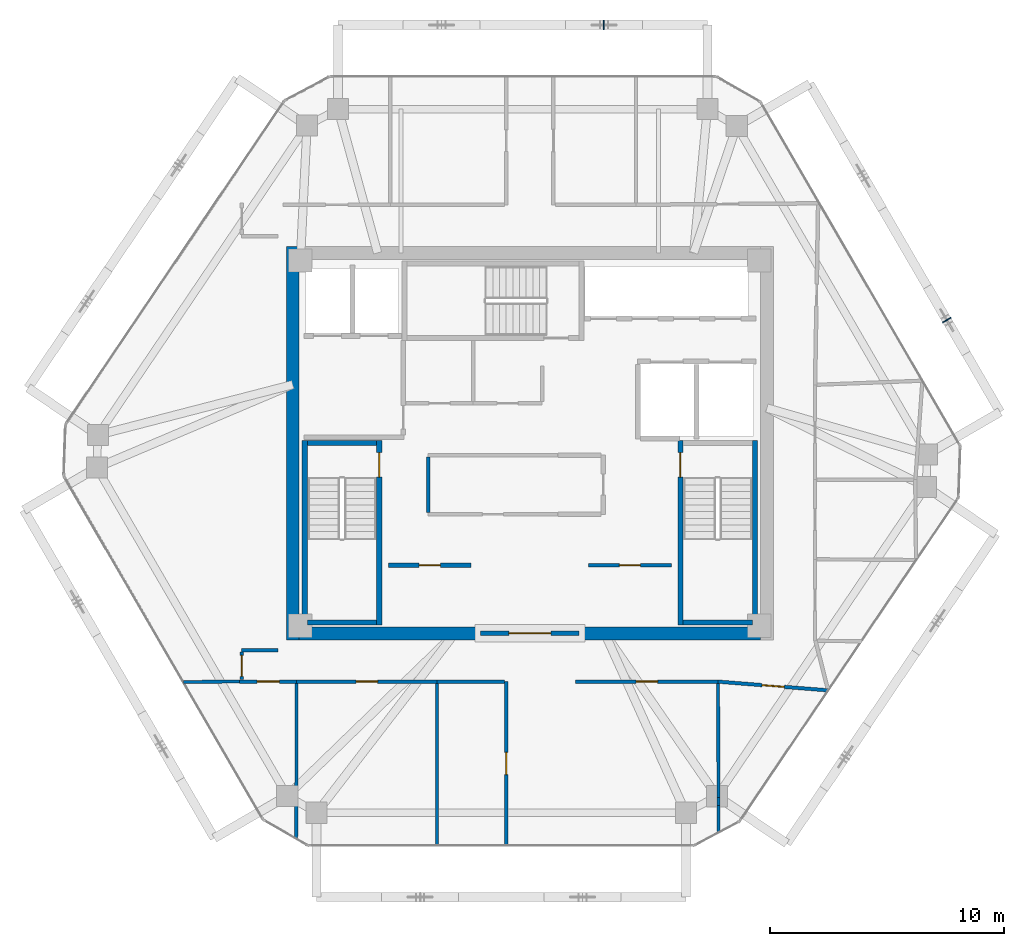
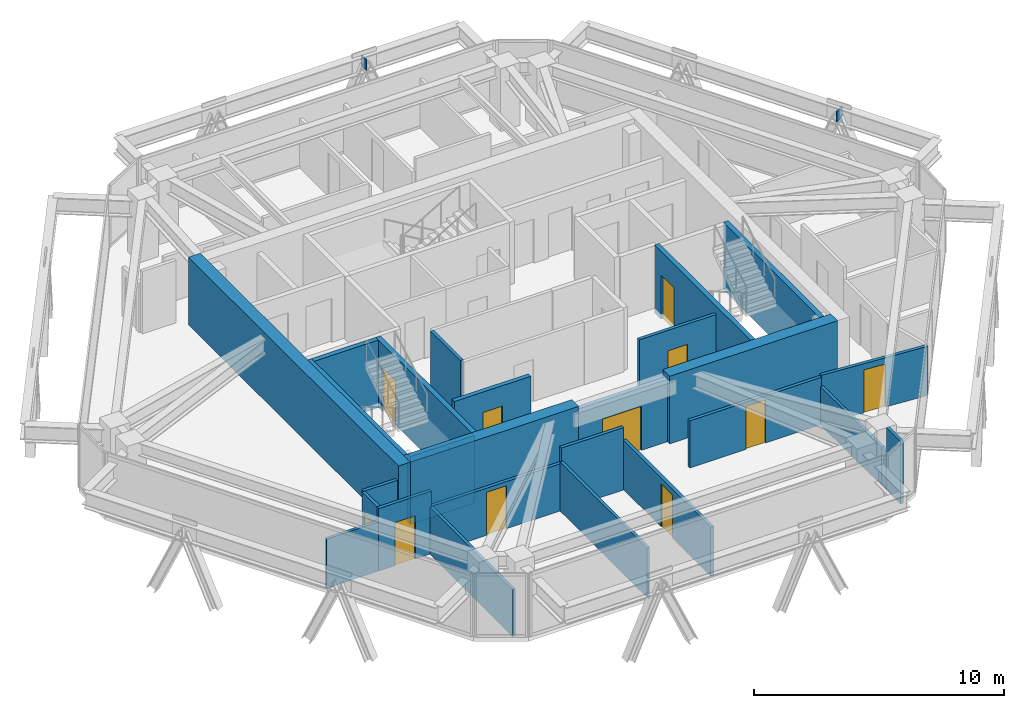
# One storey, part 9 of 13: 28 walls, 11 doors, 2 plates, 11 openings.
"""IFC4 building model written with IfcOpenShell, lengths in metres."""

from ifc_helpers import new_model, si_unit, direction, frame, frame_2d, origin, origin_2d, place, context, subcontext, project, spatial, rectangle, extrude, source, transform, mapped, material, layer, layer_set, type_object, type_shapes, element, fill, save


model = new_model("IFC4")

# Units and contexts
model_context = context("Model", 3, precision=1e-05, world=origin(), true_north=direction((0.0, 1.0)))
body_context = subcontext(model_context, "Body", "Model", "MODEL_VIEW")
ifc_project = project(units=[si_unit("LENGTHUNIT", "METRE"), si_unit("AREAUNIT", "SQUARE_METRE"), si_unit("VOLUMEUNIT", "CUBIC_METRE"), si_unit("PLANEANGLEUNIT", "RADIAN"), si_unit("MASSUNIT", "GRAM", prefix="KILO")], contexts=[model_context])

# Site, building, storey
site_placement = place(None, origin())
site = spatial("IfcSite", under=ifc_project, at=site_placement, CompositionType="ELEMENT")
building_placement = place(site_placement, origin())
building = spatial("IfcBuilding", under=site, at=building_placement, Name="Durnholm Broadcast Tower", CompositionType="ELEMENT")
storey_placement = place(building_placement, frame((0.0, 0.0, 228.199951171875)))
storey = spatial("IfcBuildingStorey", under=building, at=storey_placement, Name="L63", CompositionType="ELEMENT", Elevation=228.199951171875)

# Plates
ifc_material_1 = material(Name="Steel ASTM A572 Grade 50", Category="steel")
ifc_layer_1 = layer(ifc_material_1, 0.044921875)
ifc_layer_set_1 = layer_set([ifc_layer_1], Name="Steel ASTM A572 Grade 50")
plate_type = type_object("IfcPlateType", Name="PLT-KN-STIF", PredefinedType="SHEET", material=ifc_layer_set_1)
shared_shape_1 = source(origin(), body_context, "Body", "SweptSolid", [
    extrude(rectangle(XDim=0.044921875, YDim=0.419921875, at=origin_2d()), origin(), (0.0, 0.0, 1.0), 0.52001953125),
])
type_shapes(plate_type, [shared_shape_1])
for number, where, z_axis, x_axis, name in (
    (1, (17.806640625, 5.2548828125, 2.048583984375), (0.0, 0.0, 1.0), (-0.501963660617, 0.864888711581, 0.0), "L63 welded diagrid node stiffener plate F3"),
    (2, (3.164794921875, 17.862060546875, 2.048583984375), (0.0, 0.0, 1.0), (-1.0, 0.0, 0.0), "L63 welded diagrid node stiffener plate F4"),
):
    element("IfcPlate", number, at=place(storey_placement, frame(where, z_axis=z_axis, x_axis=x_axis)), inside=storey, type_object=plate_type, Name=name, PredefinedType="SHEET", context=body_context, shape_type="MappedRepresentation", body=[
        mapped(shared_shape_1, transform((0.0, 0.0, 0.0), x_axis=(1.0, 0.0, 0.0), y_axis=(0.0, 1.0, 0.0), z_axis=(0.0, 0.0, 1.0), scale=1.0)),
    ])

# Walls
ifc_material_2 = material(Name="Concrete C70/85", Category="concrete")
ifc_layer_2 = layer(ifc_material_2, 0.550048828125)
ifc_layer_set_2 = layer_set([ifc_layer_2], Name="Concrete C70/85")
wall_type_1 = type_object("IfcWallType", Name="WALL-CW-550", PredefinedType="SHEAR", material=ifc_layer_set_2)
wall_1_placement = place(storey_placement, frame((-10.125, -8.39990234375, 0.0), z_axis=(0.0, 0.0, 1.0), x_axis=(0.0, 1.0, 0.0)))
element("IfcWall", 3, at=wall_1_placement, inside=storey, type_object=wall_type_1, Name="L63 central core shear wall CW-WEST", PredefinedType="SHEAR", context=body_context, shape_type="SweptSolid", body=[
    extrude(rectangle(XDim=16.7998046875, YDim=0.550048828125, at=frame_2d((8.39990234375, 0.0))), origin(), (0.0, 0.0, 1.0), 3.300048828125),
])
for number, where, z_axis, x_axis, name in (
    (4, (-9.85009765625, -8.125, 0.0), (0.0, 0.0, 1.0), (1.0, 0.0, 0.0), "L63 central core shear wall CW-S1"),
    (5, (2.10009765625, -8.125, 0.0), (0.0, 0.0, 1.0), (1.0, 0.0, 0.0), "L63 central core shear wall CW-S2"),
):
    element("IfcWall", number, at=place(storey_placement, frame(where, z_axis=z_axis, x_axis=x_axis)), inside=storey, type_object=wall_type_1, Name=name, PredefinedType="SHEAR", context=body_context, shape_type="SweptSolid", body=[
        extrude(rectangle(XDim=7.75, YDim=0.550048828125, at=frame_2d((3.875, 0.0))), origin(), (0.0, 0.0, 1.0), 3.300048828125),
    ])

# Wall, opening, door
ifc_material_3 = material(Name="Fire-Rated Gypsum Shaftwall", Category="concrete")
ifc_layer_3 = layer(ifc_material_3, 0.199951171875)
ifc_layer_set_3 = layer_set([ifc_layer_3], Name="Fire-Rated Gypsum Shaftwall")
wall_type_2 = type_object("IfcWallType", Name="WALL-LOB-200", PredefinedType="SOLIDWALL", material=ifc_layer_set_3)
wall_2_placement = place(storey_placement, frame((-2.10009765625, -8.125, 0.0), z_axis=(0.0, 0.0, 1.0), x_axis=(1.0, 0.0, 0.0)))
wall_2 = element("IfcWall", 6, at=wall_2_placement, inside=storey, type_object=wall_type_2, Name="L63 south core lobby fire screen", PredefinedType="SOLIDWALL", context=body_context, shape_type="SweptSolid", body=[
    extrude(rectangle(XDim=4.2001953125, YDim=0.199951171875, at=frame_2d((2.10009765625, 0.0))), origin(), (0.0, 0.0, 1.0), 3.045166015625),
])
opening_1_placement = place(wall_2_placement, frame((1.199951171875, 0.0, 0.0)))
opening_1 = element("IfcOpeningElement", 7, at=opening_1_placement, cuts=wall_2, Name="Opening DP-60", PredefinedType="OPENING", context=body_context, shape_type="SweptSolid", body=[
    extrude(rectangle(XDim=1.800048828125, YDim=2.14990234375, at=frame_2d((0.89990234375, 1.074951171875))), frame((0.0, 0.10986328125, 0.0), z_axis=(0.0, -1.0, 0.0), x_axis=(1.0, 0.0, 0.0)), (0.0, 0.0, 1.0), 0.219970703125),
])
ifc_material_4 = material(Name="Fire-Rated Double Corridor Door", Category="steel")
ifc_layer_4 = layer(ifc_material_4, 0.050048828125)
ifc_layer_set_4 = layer_set([ifc_layer_4], Name="Fire-Rated Double Corridor Door")
door_type_1 = type_object("IfcDoorType", Name="DOOR-PAIR-FD60", OperationType="DOUBLE_DOOR_SINGLE_SWING", PredefinedType="DOOR", material=ifc_layer_set_4)
shared_shape_2 = source(origin(), body_context, "Body", "SweptSolid", [
    extrude(rectangle(XDim=1.800048828125, YDim=2.14990234375, at=frame_2d((0.89990234375, 1.074951171875))), frame((0.0, 0.02490234375, 0.0), z_axis=(0.0, -1.0, 0.0), x_axis=(1.0, 0.0, 0.0)), (0.0, 0.0, 1.0), 0.050048828125),
])
type_shapes(door_type_1, [shared_shape_2])
door_1_placement = place(opening_1_placement, origin())
door_1 = element("IfcDoor", 8, at=door_1_placement, inside=storey, type_object=door_type_1, Name="L63 south core lobby double fire door", OperationType="DOUBLE_DOOR_SINGLE_SWING", OverallHeight=2.14990234375, OverallWidth=1.800048828125, PredefinedType="DOOR", context=body_context, shape_type="MappedRepresentation", body=[
    mapped(shared_shape_2, transform((0.0, 0.0, 0.0), x_axis=(1.0, 0.0, 0.0), y_axis=(0.0, 1.0, 0.0), z_axis=(0.0, 0.0, 1.0), scale=1.0)),
])
fill(opening_1, door_1)

wall_3_placement = place(storey_placement, frame((-6.0400390625, -5.2099609375, 0.0), z_axis=(0.0, 0.0, 1.0), x_axis=(1.0, 0.0, 0.0)))
wall_3 = element("IfcWall", 9, at=wall_3_placement, inside=storey, type_object=wall_type_2, Name="L63 Broadcast Signal Rack Room corridor partition", PredefinedType="SOLIDWALL", context=body_context, shape_type="SweptSolid", body=[
    extrude(rectangle(XDim=3.530029296875, YDim=0.199951171875, at=frame_2d((1.76513671875, 0.0))), origin(), (0.0, 0.0, 1.0), 3.045166015625),
])
opening_2_placement = place(wall_3_placement, frame((1.31494140625, 0.0, 0.0)))
opening_2 = element("IfcOpeningElement", 10, at=opening_2_placement, cuts=wall_3, Name="Opening DC-60L", PredefinedType="OPENING", context=body_context, shape_type="SweptSolid", body=[
    extrude(rectangle(XDim=0.89990234375, YDim=2.050048828125, at=frame_2d((0.449951171875, 1.02490234375))), frame((0.0, 0.10986328125, 0.0), z_axis=(0.0, -1.0, 0.0), x_axis=(1.0, 0.0, 0.0)), (0.0, 0.0, 1.0), 0.219970703125),
])
ifc_material_5 = material(Name="Fire-Rated Core Service Door", Category="steel")
ifc_layer_5 = layer(ifc_material_5, 0.050048828125)
ifc_layer_set_5 = layer_set([ifc_layer_5], Name="Fire-Rated Core Service Door")
door_type_2 = type_object("IfcDoorType", Name="DOOR-CORE-FD60-L", OperationType="NOTDEFINED", PredefinedType="DOOR", material=ifc_layer_set_5)
shared_shape_3 = source(origin(), body_context, "Body", "SweptSolid", [
    extrude(rectangle(XDim=0.89990234375, YDim=2.050048828125, at=frame_2d((0.449951171875, 1.02490234375))), frame((0.0, 0.02490234375, 0.0), z_axis=(0.0, -1.0, 0.0), x_axis=(1.0, 0.0, 0.0)), (0.0, 0.0, 1.0), 0.050048828125),
])
type_shapes(door_type_2, [shared_shape_3])
door_2_placement = place(opening_2_placement, origin())
door_2 = element("IfcDoor", 11, at=door_2_placement, inside=storey, type_object=door_type_2, Name="L63 Broadcast Signal Rack Room entrance door", OperationType="SINGLE_SWING_LEFT", OverallHeight=2.050048828125, OverallWidth=0.89990234375, PredefinedType="DOOR", context=body_context, shape_type="MappedRepresentation", body=[
    mapped(shared_shape_3, transform((0.0, 0.0, 0.0), x_axis=(1.0, 0.0, 0.0), y_axis=(0.0, 1.0, 0.0), z_axis=(0.0, 0.0, 1.0), scale=1.0)),
])
fill(opening_2, door_2)

# Walls
ifc_material_6 = material(Name="Gypsum Metal Stud Partition", Category="concrete")
ifc_layer_6 = layer(ifc_material_6, 0.135009765625)
ifc_layer_set_6 = layer_set([ifc_layer_6], Name="Gypsum Metal Stud Partition")
wall_type_3 = type_object("IfcWallType", Name="WALL-PART-135", PredefinedType="PARTITIONING", material=ifc_layer_set_6)
wall_4_placement = place(storey_placement, frame((-9.960205078125, -10.259033203125, 0.0), z_axis=(0.0, 0.0, 1.0), x_axis=(-0.002979132758, -0.999995562374, 0.0)))
element("IfcWall", 12, at=wall_4_placement, inside=storey, type_object=wall_type_3, Name="L63 room dividing partition 14.15", PredefinedType="PARTITIONING", context=body_context, shape_type="SweptSolid", body=[
    extrude(rectangle(XDim=6.637939453125, YDim=0.135009765625, at=frame_2d((3.31884765625, 0.0))), origin(), (0.0, 0.0, 1.0), 2.30126953125),
])
wall_5_placement = place(storey_placement, frame((-14.801513671875, -10.199951171875, 0.0), z_axis=(0.0, 0.0, 1.0), x_axis=(0.999968020968, 0.007997314604, 0.0)))
element("IfcWall", 13, at=wall_5_placement, inside=storey, type_object=wall_type_3, Name="L63 room dividing partition 14.19", PredefinedType="PARTITIONING", context=body_context, shape_type="SweptSolid", body=[
    extrude(rectangle(XDim=2.41162109375, YDim=0.135009765625, at=frame_2d((1.205810546875, 0.0))), origin(), (0.0, 0.0, 1.0), 2.39892578125),
])
wall_6_placement = place(storey_placement, frame((-3.9599609375, -10.259033203125, 0.0), z_axis=(0.0, 0.0, 1.0), x_axis=(0.0, -1.0, 0.0)))
element("IfcWall", 14, at=wall_6_placement, inside=storey, type_object=wall_type_3, Name="L63 room dividing partition 15.16", PredefinedType="PARTITIONING", context=body_context, shape_type="SweptSolid", body=[
    extrude(rectangle(XDim=6.927001953125, YDim=0.135009765625, at=frame_2d((3.46337890625, 0.0))), origin(), (0.0, 0.0, 1.0), 2.39892578125),
])
wall_7_placement = place(storey_placement, frame((8.040283203125, -10.265625, 0.0), z_axis=(0.0, 0.0, 1.0), x_axis=(0.002906673097, -0.999995775617, 0.0)))
element("IfcWall", 15, at=wall_7_placement, inside=storey, type_object=wall_type_3, Name="L63 room dividing partition 17.18", PredefinedType="PARTITIONING", context=body_context, shape_type="SweptSolid", body=[
    extrude(rectangle(XDim=4.87158203125, YDim=0.135009765625, at=frame_2d((2.435791015625, 0.0))), origin(), (0.0, 0.0, 1.0), 1.876953125),
])
wall_8_placement = place(storey_placement, frame((8.055419921875, -15.477783203125, 0.0), z_axis=(0.0, 0.0, 1.0), x_axis=(0.002965460378, -0.999995603013, 0.0)))
element("IfcWall", 16, at=wall_8_placement, inside=storey, type_object=wall_type_3, Name="L63 room dividing partition 17.18", PredefinedType="PARTITIONING", context=body_context, shape_type="SweptSolid", body=[
    extrude(rectangle(XDim=1.152587890625, YDim=0.135009765625, at=frame_2d((0.576171875, 0.0))), origin(), (0.0, 0.0, 1.0), 3.045166015625),
])
wall_9_placement = place(storey_placement, frame((8.054443359375, -15.13720703125, 0.0), z_axis=(0.0, 0.0, 1.0), x_axis=(0.002867371725, -0.999995889081, 0.0)))
element("IfcWall", 17, at=wall_9_placement, inside=storey, type_object=wall_type_3, Name="L63 room dividing partition 17.18", PredefinedType="PARTITIONING", context=body_context, shape_type="SweptSolid", body=[
    extrude(rectangle(XDim=0.340576171875, YDim=0.135009765625, at=frame_2d((0.17041015625, 0.0))), origin(), (0.0, 0.0, 1.0), 1.876953125),
])

# Wall, opening, door
ifc_material_7 = material(Name="Acoustic Gypsum Stud Partition", Category="concrete")
ifc_layer_7 = layer(ifc_material_7, 0.14990234375)
ifc_layer_set_7 = layer_set([ifc_layer_7], Name="Acoustic Gypsum Stud Partition")
wall_type_4 = type_object("IfcWallType", Name="WALL-PART-150", PredefinedType="PARTITIONING", material=ifc_layer_set_7)
wall_10_placement = place(storey_placement, frame((2.510009765625, -5.2099609375, 0.0), z_axis=(0.0, 0.0, 1.0), x_axis=(1.0, 0.0, 0.0)))
wall_10 = element("IfcWall", 18, at=wall_10_placement, inside=storey, type_object=wall_type_4, Name="L63 Editorial Beverage Pantry corridor partition", PredefinedType="PARTITIONING", context=body_context, shape_type="SweptSolid", body=[
    extrude(rectangle(XDim=3.530029296875, YDim=0.14990234375, at=frame_2d((1.76513671875, 0.0))), origin(), (0.0, 0.0, 1.0), 3.045166015625),
])
opening_3_placement = place(wall_10_placement, frame((1.31494140625, 0.0, 0.0)))
opening_3 = element("IfcOpeningElement", 19, at=opening_3_placement, cuts=wall_10, Name="Opening DC-60R", PredefinedType="OPENING", context=body_context, shape_type="SweptSolid", body=[
    extrude(rectangle(XDim=0.89990234375, YDim=2.050048828125, at=frame_2d((0.449951171875, 1.02490234375))), frame((0.0, 0.0849609375, 0.0), z_axis=(0.0, -1.0, 0.0), x_axis=(1.0, 0.0, 0.0)), (0.0, 0.0, 1.0), 0.169921875),
])
ifc_layer_8 = layer(ifc_material_5, 0.050048828125)
ifc_layer_set_8 = layer_set([ifc_layer_8], Name="Fire-Rated Core Service Door")
door_type_3 = type_object("IfcDoorType", Name="DOOR-CORE-FD60-R", OperationType="NOTDEFINED", PredefinedType="DOOR", material=ifc_layer_set_8)
shared_shape_4 = source(origin(), body_context, "Body", "SweptSolid", [
    extrude(rectangle(XDim=0.89990234375, YDim=2.050048828125, at=frame_2d((0.449951171875, 1.02490234375))), frame((0.0, 0.02490234375, 0.0), z_axis=(0.0, -1.0, 0.0), x_axis=(1.0, 0.0, 0.0)), (0.0, 0.0, 1.0), 0.050048828125),
])
type_shapes(door_type_3, [shared_shape_4])
door_3_placement = place(opening_3_placement, origin())
door_3 = element("IfcDoor", 20, at=door_3_placement, inside=storey, type_object=door_type_3, Name="L63 Editorial Beverage Pantry entrance door", OperationType="SINGLE_SWING_RIGHT", OverallHeight=2.050048828125, OverallWidth=0.89990234375, PredefinedType="DOOR", context=body_context, shape_type="MappedRepresentation", body=[
    mapped(shared_shape_4, transform((0.0, 0.0, 0.0), x_axis=(1.0, 0.0, 0.0), y_axis=(0.0, 1.0, 0.0), z_axis=(0.0, 0.0, 1.0), scale=1.0)),
])
fill(opening_3, door_3)

# Wall
wall_11_placement = place(storey_placement, frame((-4.340087890625, -2.9609375, 0.0), z_axis=(0.0, 0.0, 1.0), x_axis=(0.0, 1.0, 0.0)))
element("IfcWall", 21, at=wall_11_placement, inside=storey, type_object=wall_type_4, Name="L63 Broadcast Equipment Store corridor partition", PredefinedType="PARTITIONING", context=body_context, shape_type="SweptSolid", body=[
    extrude(rectangle(XDim=2.371826171875, YDim=0.14990234375, at=frame_2d((1.18603515625, 0.0))), origin(), (0.0, 0.0, 1.0), 3.045166015625),
])

# Wall, opening, door
wall_12_placement = place(storey_placement, frame((-12.389892578125, -10.179931640625, 0.0), z_axis=(0.0, 0.0, 1.0), x_axis=(1.0, 0.0, 0.0)))
wall_12 = element("IfcWall", 22, at=wall_12_placement, inside=storey, type_object=wall_type_4, Name="L63 Strategy Office 1 corridor partition", PredefinedType="PARTITIONING", context=body_context, shape_type="SweptSolid", body=[
    extrude(rectangle(XDim=2.429931640625, YDim=0.14990234375, at=frame_2d((1.21484375, 0.0))), origin(), (0.0, 0.0, 1.0), 3.045166015625),
])
opening_4_placement = place(wall_12_placement, frame((0.739990234375, 0.0, 0.0)))
opening_4 = element("IfcOpeningElement", 23, at=opening_4_placement, cuts=wall_12, Name="Opening DR-95R", PredefinedType="OPENING", context=body_context, shape_type="SweptSolid", body=[
    extrude(rectangle(XDim=0.949951171875, YDim=2.10009765625, at=frame_2d((0.47509765625, 1.050048828125))), frame((0.0, 0.0849609375, 0.0), z_axis=(0.0, -1.0, 0.0), x_axis=(1.0, 0.0, 0.0)), (0.0, 0.0, 1.0), 0.169921875),
])
ifc_material_8 = material(Name="Acoustic Oak Veneer Timber Door", Category="wood")
ifc_layer_9 = layer(ifc_material_8, 0.050048828125)
ifc_layer_set_9 = layer_set([ifc_layer_9], Name="Acoustic Oak Veneer Timber Door")
door_type_4 = type_object("IfcDoorType", Name="DOOR-RM-950R", OperationType="NOTDEFINED", PredefinedType="DOOR", material=ifc_layer_set_9)
shared_shape_5 = source(origin(), body_context, "Body", "SweptSolid", [
    extrude(rectangle(XDim=0.949951171875, YDim=2.10009765625, at=frame_2d((0.47509765625, 1.050048828125))), frame((0.0, 0.02490234375, 0.0), z_axis=(0.0, -1.0, 0.0), x_axis=(1.0, 0.0, 0.0)), (0.0, 0.0, 1.0), 0.050048828125),
])
type_shapes(door_type_4, [shared_shape_5])
door_4_placement = place(opening_4_placement, origin())
door_4 = element("IfcDoor", 24, at=door_4_placement, inside=storey, type_object=door_type_4, Name="L63 Strategy Office 1 entrance door", OperationType="SINGLE_SWING_RIGHT", OverallHeight=2.10009765625, OverallWidth=0.949951171875, PredefinedType="DOOR", context=body_context, shape_type="MappedRepresentation", body=[
    mapped(shared_shape_5, transform((0.0, 0.0, 0.0), x_axis=(1.0, 0.0, 0.0), y_axis=(0.0, 1.0, 0.0), z_axis=(0.0, 0.0, 1.0), scale=1.0)),
])
fill(opening_4, door_4)

wall_13_placement = place(storey_placement, frame((-9.9599609375, -10.179931640625, 0.0), z_axis=(0.0, 0.0, 1.0), x_axis=(1.0, 0.0, 0.0)))
wall_13 = element("IfcWall", 25, at=wall_13_placement, inside=storey, type_object=wall_type_4, Name="L63 Strategy Office 2 corridor partition", PredefinedType="PARTITIONING", context=body_context, shape_type="SweptSolid", body=[
    extrude(rectangle(XDim=6.0, YDim=0.14990234375, at=frame_2d((3.0, 0.0))), origin(), (0.0, 0.0, 1.0), 2.30126953125),
])
opening_5_placement = place(wall_13_placement, frame((2.5400390625, 0.0, 0.0)))
opening_5 = element("IfcOpeningElement", 26, at=opening_5_placement, cuts=wall_13, Name="Opening DR-92L", PredefinedType="OPENING", context=body_context, shape_type="SweptSolid", body=[
    extrude(rectangle(XDim=0.919921875, YDim=2.10009765625, at=frame_2d((0.4599609375, 1.050048828125))), frame((0.0, 0.0849609375, 0.0), z_axis=(0.0, -1.0, 0.0), x_axis=(1.0, 0.0, 0.0)), (0.0, 0.0, 1.0), 0.169921875),
])
ifc_material_9 = material(Name="Oak Veneer Office Door", Category="wood")
ifc_layer_10 = layer(ifc_material_9, 0.050048828125)
ifc_layer_set_10 = layer_set([ifc_layer_10], Name="Oak Veneer Office Door")
door_type_5 = type_object("IfcDoorType", Name="DOOR-RM-920L", OperationType="NOTDEFINED", PredefinedType="DOOR", material=ifc_layer_set_10)
shared_shape_6 = source(origin(), body_context, "Body", "SweptSolid", [
    extrude(rectangle(XDim=0.919921875, YDim=2.10009765625, at=frame_2d((0.4599609375, 1.050048828125))), frame((0.0, 0.02490234375, 0.0), z_axis=(0.0, -1.0, 0.0), x_axis=(1.0, 0.0, 0.0)), (0.0, 0.0, 1.0), 0.050048828125),
])
type_shapes(door_type_5, [shared_shape_6])
door_5_placement = place(opening_5_placement, origin())
door_5 = element("IfcDoor", 27, at=door_5_placement, inside=storey, type_object=door_type_5, Name="L63 Strategy Office 2 entrance door", OperationType="SINGLE_SWING_LEFT", OverallHeight=2.10009765625, OverallWidth=0.919921875, PredefinedType="DOOR", context=body_context, shape_type="MappedRepresentation", body=[
    mapped(shared_shape_6, transform((0.0, 0.0, 0.0), x_axis=(1.0, 0.0, 0.0), y_axis=(0.0, 1.0, 0.0), z_axis=(0.0, 0.0, 1.0), scale=1.0)),
])
fill(opening_5, door_5)

wall_14_placement = place(storey_placement, frame((-1.010009765625, -10.179931640625, 0.0), z_axis=(0.0, 0.0, 1.0), x_axis=(0.0, -1.0, 0.0)))
wall_14 = element("IfcWall", 28, at=wall_14_placement, inside=storey, type_object=wall_type_4, Name="L63 Executive Meeting Room corridor partition", PredefinedType="PARTITIONING", context=body_context, shape_type="SweptSolid", body=[
    extrude(rectangle(XDim=7.006103515625, YDim=0.14990234375, at=frame_2d((3.5029296875, 0.0))), origin(), (0.0, 0.0, 1.0), 2.39892578125),
])
opening_6_placement = place(wall_14_placement, frame((3.028076171875, 0.0, 0.0)))
opening_6 = element("IfcOpeningElement", 29, at=opening_6_placement, cuts=wall_14, Name="Opening DR-95R", PredefinedType="OPENING", context=body_context, shape_type="SweptSolid", body=[
    extrude(rectangle(XDim=0.949951171875, YDim=2.10009765625, at=frame_2d((0.47509765625, 1.050048828125))), frame((0.0, 0.0849609375, 0.0), z_axis=(0.0, -1.0, 0.0), x_axis=(1.0, 0.0, 0.0)), (0.0, 0.0, 1.0), 0.169921875),
])
door_6_placement = place(opening_6_placement, origin())
door_6 = element("IfcDoor", 30, at=door_6_placement, inside=storey, type_object=door_type_4, Name="L63 Executive Meeting Room entrance door", OperationType="SINGLE_SWING_RIGHT", OverallHeight=2.10009765625, OverallWidth=0.949951171875, PredefinedType="DOOR", context=body_context, shape_type="MappedRepresentation", body=[
    mapped(shared_shape_5, transform((0.0, 0.0, 0.0), x_axis=(1.0, 0.0, 0.0), y_axis=(0.0, 1.0, 0.0), z_axis=(0.0, 0.0, 1.0), scale=1.0)),
])
fill(opening_6, door_6)

# Wall
wall_15_placement = place(storey_placement, frame((-3.9599609375, -10.179931640625, 0.0), z_axis=(0.0, 0.0, 1.0), x_axis=(1.0, 0.0, 0.0)))
element("IfcWall", 31, at=wall_15_placement, inside=storey, type_object=wall_type_4, Name="L63 Executive Meeting Room corridor partition", PredefinedType="PARTITIONING", context=body_context, shape_type="SweptSolid", body=[
    extrude(rectangle(XDim=2.870849609375, YDim=0.14990234375, at=frame_2d((1.435546875, 0.0))), origin(), (0.0, 0.0, 1.0), 3.045166015625),
])

# Wall, opening, door
wall_16_placement = place(storey_placement, frame((1.9599609375, -10.179931640625, 0.0), z_axis=(0.0, 0.0, 1.0), x_axis=(1.0, 0.0, 0.0)))
wall_16 = element("IfcWall", 32, at=wall_16_placement, inside=storey, type_object=wall_type_4, Name="L63 Briefing Office corridor partition", PredefinedType="PARTITIONING", context=body_context, shape_type="SweptSolid", body=[
    extrude(rectangle(XDim=6.080078125, YDim=0.14990234375, at=frame_2d((3.0400390625, 0.0))), origin(), (0.0, 0.0, 1.0), 2.30126953125),
])
opening_7_placement = place(wall_16_placement, frame((2.580078125, 0.0, 0.0)))
opening_7 = element("IfcOpeningElement", 33, at=opening_7_placement, cuts=wall_16, Name="Opening DR-92L", PredefinedType="OPENING", context=body_context, shape_type="SweptSolid", body=[
    extrude(rectangle(XDim=0.919921875, YDim=2.10009765625, at=frame_2d((0.4599609375, 1.050048828125))), frame((0.0, 0.0849609375, 0.0), z_axis=(0.0, -1.0, 0.0), x_axis=(1.0, 0.0, 0.0)), (0.0, 0.0, 1.0), 0.169921875),
])
door_7_placement = place(opening_7_placement, origin())
door_7 = element("IfcDoor", 34, at=door_7_placement, inside=storey, type_object=door_type_5, Name="L63 Briefing Office entrance door", OperationType="SINGLE_SWING_LEFT", OverallHeight=2.10009765625, OverallWidth=0.919921875, PredefinedType="DOOR", context=body_context, shape_type="MappedRepresentation", body=[
    mapped(shared_shape_6, transform((0.0, 0.0, 0.0), x_axis=(1.0, 0.0, 0.0), y_axis=(0.0, 1.0, 0.0), z_axis=(0.0, 0.0, 1.0), scale=1.0)),
])
fill(opening_7, door_7)

wall_17_placement = place(storey_placement, frame((8.0400390625, -10.186279296875, 0.0), z_axis=(0.0, 0.0, 1.0), x_axis=(0.996887981077, -0.078831168868, 0.0)))
wall_17 = element("IfcWall", 35, at=wall_17_placement, inside=storey, type_object=wall_type_4, Name="L63 Broadcast Library Lounge corridor partition", PredefinedType="PARTITIONING", context=body_context, shape_type="SweptSolid", body=[
    extrude(rectangle(XDim=4.713623046875, YDim=0.14990234375, at=frame_2d((2.35693359375, 0.0))), origin(), (0.0, 0.0, 1.0), 2.39892578125),
])
opening_8_placement = place(wall_17_placement, frame((1.8818359375, 0.0, 0.0)))
opening_8 = element("IfcOpeningElement", 36, at=opening_8_placement, cuts=wall_17, Name="Opening DR-95R", PredefinedType="OPENING", context=body_context, shape_type="SweptSolid", body=[
    extrude(rectangle(XDim=0.949951171875, YDim=2.10009765625, at=frame_2d((0.47509765625, 1.050048828125))), frame((0.0, 0.0849609375, 0.0), z_axis=(0.0, -1.0, 0.0), x_axis=(1.0, 0.0, 0.0)), (0.0, 0.0, 1.0), 0.169921875),
])
door_8_placement = place(opening_8_placement, origin())
door_8 = element("IfcDoor", 37, at=door_8_placement, inside=storey, type_object=door_type_4, Name="L63 Broadcast Library Lounge entrance door", OperationType="SINGLE_SWING_RIGHT", OverallHeight=2.10009765625, OverallWidth=0.949951171875, PredefinedType="DOOR", context=body_context, shape_type="MappedRepresentation", body=[
    mapped(shared_shape_5, transform((0.0, 0.0, 0.0), x_axis=(1.0, 0.0, 0.0), y_axis=(0.0, 1.0, 0.0), z_axis=(0.0, 0.0, 1.0), scale=1.0)),
])
fill(opening_8, door_8)

# Wall
wall_18_placement = place(storey_placement, frame((-10.760009765625, -8.840087890625, 0.0), z_axis=(0.0, 0.0, 1.0), x_axis=(-1.0, 0.0, 0.0)))
element("IfcWall", 38, at=wall_18_placement, inside=storey, type_object=wall_type_4, Name="L63 VP News Office corridor partition", PredefinedType="PARTITIONING", context=body_context, shape_type="SweptSolid", body=[
    extrude(rectangle(XDim=1.550048828125, YDim=0.14990234375, at=frame_2d((0.77490234375, 0.0))), origin(), (0.0, 0.0, 1.0), 3.045166015625),
])

# Wall, opening, door
wall_19_placement = place(storey_placement, frame((-12.31005859375, -8.9189453125, 0.0), z_axis=(0.0, 0.0, 1.0), x_axis=(0.0, -1.0, 0.0)))
wall_19 = element("IfcWall", 39, at=wall_19_placement, inside=storey, type_object=wall_type_4, Name="L63 VP News Office corridor partition", PredefinedType="PARTITIONING", context=body_context, shape_type="SweptSolid", body=[
    extrude(rectangle(XDim=1.18212890625, YDim=0.14990234375, at=frame_2d((0.591064453125, 0.0))), origin(), (0.0, 0.0, 1.0), 3.045166015625),
])
opening_9_placement = place(wall_19_placement, frame((0.14111328125, 0.0, 0.0)))
opening_9 = element("IfcOpeningElement", 40, at=opening_9_placement, cuts=wall_19, Name="Opening DW-90R", PredefinedType="OPENING", context=body_context, shape_type="SweptSolid", body=[
    extrude(rectangle(XDim=0.89990234375, YDim=2.050048828125, at=frame_2d((0.449951171875, 1.02490234375))), frame((0.0, 0.0849609375, 0.0), z_axis=(0.0, -1.0, 0.0), x_axis=(1.0, 0.0, 0.0)), (0.0, 0.0, 1.0), 0.169921875),
])
ifc_material_10 = material(Name="Laminate Restroom Door", Category="steel")
ifc_layer_11 = layer(ifc_material_10, 0.050048828125)
ifc_layer_set_11 = layer_set([ifc_layer_11], Name="Laminate Restroom Door")
door_type_6 = type_object("IfcDoorType", Name="DOOR-WC-900R", OperationType="NOTDEFINED", PredefinedType="DOOR", material=ifc_layer_set_11)
shared_shape_7 = source(origin(), body_context, "Body", "SweptSolid", [
    extrude(rectangle(XDim=0.89990234375, YDim=2.050048828125, at=frame_2d((0.449951171875, 1.02490234375))), frame((0.0, 0.02490234375, 0.0), z_axis=(0.0, -1.0, 0.0), x_axis=(1.0, 0.0, 0.0)), (0.0, 0.0, 1.0), 0.050048828125),
])
type_shapes(door_type_6, [shared_shape_7])
door_9_placement = place(opening_9_placement, origin())
door_9 = element("IfcDoor", 41, at=door_9_placement, inside=storey, type_object=door_type_6, Name="L63 VP News Office entrance door", OperationType="SINGLE_SWING_RIGHT", OverallHeight=2.050048828125, OverallWidth=0.89990234375, PredefinedType="DOOR", context=body_context, shape_type="MappedRepresentation", body=[
    mapped(shared_shape_7, transform((0.0, 0.0, 0.0), x_axis=(1.0, 0.0, 0.0), y_axis=(0.0, 1.0, 0.0), z_axis=(0.0, 0.0, 1.0), scale=1.0)),
])
fill(opening_9, door_9)

ifc_material_11 = material(Name="Concrete C50/60", Category="concrete")
ifc_layer_12 = layer(ifc_material_11, 0.219970703125)
ifc_layer_set_12 = layer_set([ifc_layer_12], Name="Concrete C50/60")
wall_type_5 = type_object("IfcWallType", Name="WALL-SW-220", PredefinedType="SHEAR", material=ifc_layer_set_12)
wall_20_placement = place(storey_placement, frame((-6.429931640625, -7.77001953125, -0.239990234375), z_axis=(0.0, 0.0, 1.0), x_axis=(0.0, 1.0, 0.0)))
wall_20 = element("IfcWall", 42, at=wall_20_placement, inside=storey, type_object=wall_type_5, Name="L63 stair ST-1 structural shaft wall E", PredefinedType="SHEAR", context=body_context, shape_type="SweptSolid", body=[
    extrude(rectangle(XDim=7.89013671875, YDim=0.219970703125, at=frame_2d((3.945068359375, 0.0))), origin(), (0.0, 0.0, 1.0), 3.300048828125),
])
opening_10_placement = place(wall_20_placement, frame((6.320068359375, 0.0, 0.0)))
opening_10 = element("IfcOpeningElement", 43, at=opening_10_placement, cuts=wall_20, Name="Opening DS-90L", PredefinedType="OPENING", context=body_context, shape_type="SweptSolid", body=[
    extrude(rectangle(XDim=1.050048828125, YDim=2.14990234375, at=frame_2d((0.52490234375, 1.074951171875))), frame((0.0, 0.1201171875, 0.0), z_axis=(0.0, -1.0, 0.0), x_axis=(1.0, 0.0, 0.0)), (0.0, 0.0, 1.0), 0.239990234375),
])
ifc_material_12 = material(Name="Fire-Rated Steel Door", Category="steel")
ifc_layer_13 = layer(ifc_material_12, 0.050048828125)
ifc_layer_set_13 = layer_set([ifc_layer_13], Name="Fire-Rated Steel Door")
door_type_7 = type_object("IfcDoorType", Name="DOOR-ST-FD90-L", OperationType="NOTDEFINED", PredefinedType="DOOR", material=ifc_layer_set_13)
shared_shape_8 = source(origin(), body_context, "Body", "SweptSolid", [
    extrude(rectangle(XDim=1.050048828125, YDim=2.14990234375, at=frame_2d((0.52490234375, 1.074951171875))), frame((0.0, 0.02490234375, 0.0), z_axis=(0.0, -1.0, 0.0), x_axis=(1.0, 0.0, 0.0)), (0.0, 0.0, 1.0), 0.050048828125),
])
type_shapes(door_type_7, [shared_shape_8])
door_10_placement = place(opening_10_placement, origin())
door_10 = element("IfcDoor", 44, at=door_10_placement, inside=storey, type_object=door_type_7, Name="L63 exit stair ST-1 fire door", OperationType="SINGLE_SWING_LEFT", OverallHeight=2.14990234375, OverallWidth=1.050048828125, PredefinedType="DOOR", context=body_context, shape_type="MappedRepresentation", body=[
    mapped(shared_shape_8, transform((0.0, 0.0, 0.0), x_axis=(1.0, 0.0, 0.0), y_axis=(0.0, 1.0, 0.0), z_axis=(0.0, 0.0, 1.0), scale=1.0)),
])
fill(opening_10, door_10)

# Walls
wall_21_placement = place(storey_placement, frame((-9.610107421875, 0.1201171875, -0.239990234375), z_axis=(0.0, 0.0, 1.0), x_axis=(0.0, -1.0, 0.0)))
element("IfcWall", 45, at=wall_21_placement, inside=storey, type_object=wall_type_5, Name="L63 stair ST-1 structural shaft wall W", PredefinedType="SHEAR", context=body_context, shape_type="SweptSolid", body=[
    extrude(rectangle(XDim=7.89013671875, YDim=0.219970703125, at=frame_2d((3.945068359375, 0.0))), origin(), (0.0, 0.0, 1.0), 3.300048828125),
])
for number, where, z_axis, x_axis, name in (
    (46, (-9.5, -7.659912109375, -0.239990234375), (0.0, 0.0, 1.0), (1.0, 0.0, 0.0), "L63 stair ST-1 structural shaft wall S"),
    (47, (-6.5400390625, 0.010009765625, -0.239990234375), (0.0, 0.0, 1.0), (-1.0, 0.0, 0.0), "L63 stair ST-1 structural shaft wall N"),
):
    element("IfcWall", number, at=place(storey_placement, frame(where, z_axis=z_axis, x_axis=x_axis)), inside=storey, type_object=wall_type_5, Name=name, PredefinedType="SHEAR", context=body_context, shape_type="SweptSolid", body=[
        extrude(rectangle(XDim=2.9599609375, YDim=0.219970703125, at=frame_2d((1.47998046875, 0.0))), origin(), (0.0, 0.0, 1.0), 3.300048828125),
    ])
wall_22_placement = place(storey_placement, frame((9.610107421875, -7.77001953125, -0.239990234375), z_axis=(0.0, 0.0, 1.0), x_axis=(0.0, 1.0, 0.0)))
element("IfcWall", 48, at=wall_22_placement, inside=storey, type_object=wall_type_5, Name="L63 stair ST-2 structural shaft wall E", PredefinedType="SHEAR", context=body_context, shape_type="SweptSolid", body=[
    extrude(rectangle(XDim=7.89013671875, YDim=0.219970703125, at=frame_2d((3.945068359375, 0.0))), origin(), (0.0, 0.0, 1.0), 3.300048828125),
])

# Wall, opening, door
wall_23_placement = place(storey_placement, frame((6.429931640625, 0.1201171875, -0.239990234375), z_axis=(0.0, 0.0, 1.0), x_axis=(0.0, -1.0, 0.0)))
wall_23 = element("IfcWall", 49, at=wall_23_placement, inside=storey, type_object=wall_type_5, Name="L63 stair ST-2 structural shaft wall W", PredefinedType="SHEAR", context=body_context, shape_type="SweptSolid", body=[
    extrude(rectangle(XDim=7.89013671875, YDim=0.219970703125, at=frame_2d((3.945068359375, 0.0))), origin(), (0.0, 0.0, 1.0), 3.300048828125),
])
opening_11_placement = place(wall_23_placement, frame((0.52001953125, 0.0, 0.0)))
opening_11 = element("IfcOpeningElement", 50, at=opening_11_placement, cuts=wall_23, Name="Opening DS-90R", PredefinedType="OPENING", context=body_context, shape_type="SweptSolid", body=[
    extrude(rectangle(XDim=1.050048828125, YDim=2.14990234375, at=frame_2d((0.52490234375, 1.074951171875))), frame((0.0, 0.1201171875, 0.0), z_axis=(0.0, -1.0, 0.0), x_axis=(1.0, 0.0, 0.0)), (0.0, 0.0, 1.0), 0.239990234375),
])
ifc_layer_14 = layer(ifc_material_12, 0.050048828125)
ifc_layer_set_14 = layer_set([ifc_layer_14], Name="Fire-Rated Steel Door")
door_type_8 = type_object("IfcDoorType", Name="DOOR-ST-FD90-R", OperationType="NOTDEFINED", PredefinedType="DOOR", material=ifc_layer_set_14)
shared_shape_9 = source(origin(), body_context, "Body", "SweptSolid", [
    extrude(rectangle(XDim=1.050048828125, YDim=2.14990234375, at=frame_2d((0.52490234375, 1.074951171875))), frame((0.0, 0.02490234375, 0.0), z_axis=(0.0, -1.0, 0.0), x_axis=(1.0, 0.0, 0.0)), (0.0, 0.0, 1.0), 0.050048828125),
])
type_shapes(door_type_8, [shared_shape_9])
door_11_placement = place(opening_11_placement, origin())
door_11 = element("IfcDoor", 51, at=door_11_placement, inside=storey, type_object=door_type_8, Name="L63 exit stair ST-2 fire door", OperationType="SINGLE_SWING_RIGHT", OverallHeight=2.14990234375, OverallWidth=1.050048828125, PredefinedType="DOOR", context=body_context, shape_type="MappedRepresentation", body=[
    mapped(shared_shape_9, transform((0.0, 0.0, 0.0), x_axis=(1.0, 0.0, 0.0), y_axis=(0.0, 1.0, 0.0), z_axis=(0.0, 0.0, 1.0), scale=1.0)),
])
fill(opening_11, door_11)

# Wall
wall_24_placement = place(storey_placement, frame((6.5400390625, -7.659912109375, -0.239990234375), z_axis=(0.0, 0.0, 1.0), x_axis=(1.0, 0.0, 0.0)))
element("IfcWall", 52, at=wall_24_placement, inside=storey, type_object=wall_type_5, Name="L63 stair ST-2 structural shaft wall S", PredefinedType="SHEAR", context=body_context, shape_type="SweptSolid", body=[
    extrude(rectangle(XDim=2.9599609375, YDim=0.219970703125, at=frame_2d((1.47998046875, 0.0))), origin(), (0.0, 0.0, 1.0), 3.300048828125),
])

save(model, "model.ifc")
